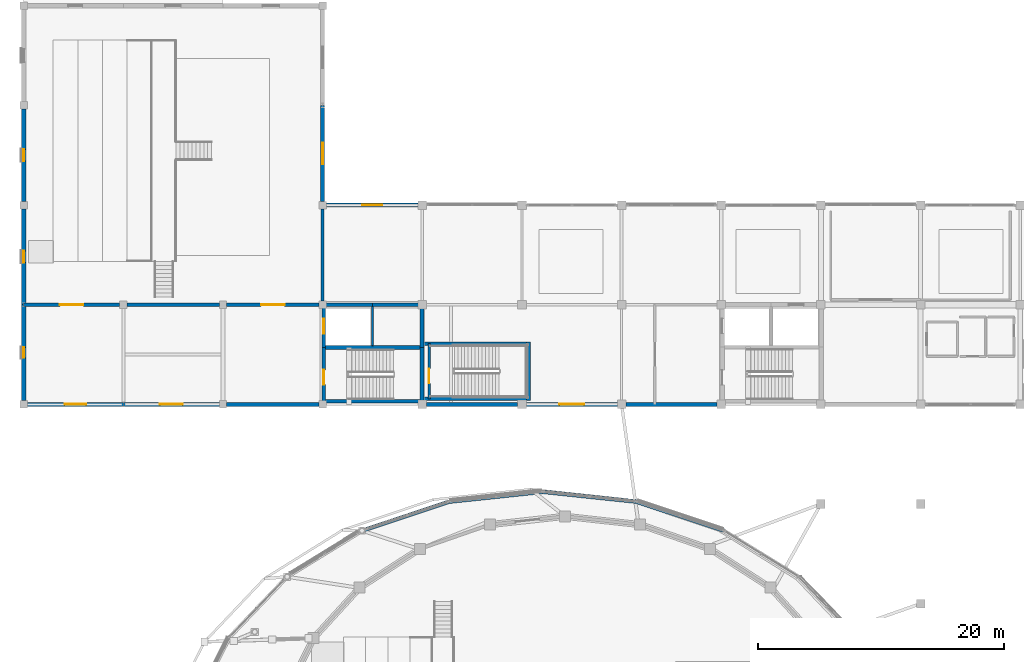
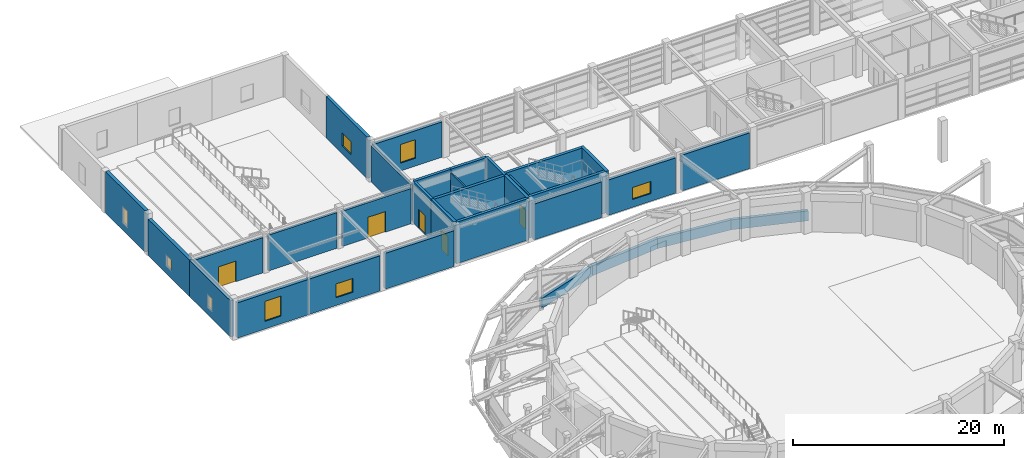
# One storey, part 40 of 56: 32 walls, 8 windows, 5 doors, 13 openings.
"""IFC4 building model written with IfcOpenShell, lengths in metres."""

from ifc_helpers import new_model, si_unit, direction, frame, frame_2d, origin, place, context, subcontext, project, spatial, rectangle, extrude, material, layer, layer_set, type_object, element, fill, save


model = new_model("IFC4")

# Units and contexts
model_context = context("Model", 3, precision=1e-05, world=origin(), true_north=direction((0.0, 1.0)))
body_context = subcontext(model_context, "Body", "Model", "MODEL_VIEW")
ifc_project = project(units=[si_unit("LENGTHUNIT", "METRE"), si_unit("AREAUNIT", "SQUARE_METRE"), si_unit("VOLUMEUNIT", "CUBIC_METRE"), si_unit("PLANEANGLEUNIT", "RADIAN"), si_unit("MASSUNIT", "GRAM", prefix="KILO")], contexts=[model_context])

# Site, building, storey
site_placement = place(None, origin())
site = spatial("IfcSite", under=ifc_project, at=site_placement, CompositionType="ELEMENT")
building_placement = place(site_placement, origin())
building = spatial("IfcBuilding", under=site, at=building_placement, Name="Parian Resonance Hall", CompositionType="ELEMENT")
storey_placement = place(building_placement, frame((0.0, 0.0, 5.39990234375)))
storey = spatial("IfcBuildingStorey", under=building, at=storey_placement, Name="L01", CompositionType="ELEMENT", Elevation=5.39990234375)

# Wall, opening, door
ifc_material_1 = material(Name="Concrete C40/50", Category="concrete")
ifc_layer_1 = layer(ifc_material_1, 0.31005859375)
ifc_layer_set_1 = layer_set([ifc_layer_1], Name="Concrete C40/50")
wall_type_1 = type_object("IfcWallType", Name="CW310", PredefinedType="SHEAR", material=ifc_layer_set_1)
wall_1_placement = place(storey_placement, frame((24.389892578125, 73.14990234375, 0.0), z_axis=(0.0, 0.0, 1.0), x_axis=(0.0, 1.0, 0.0)))
wall_1 = element("IfcWall", 1, at=wall_1_placement, inside=storey, type_object=wall_type_1, Name="Core K4 stairwell west shear wall L01", PredefinedType="SHEAR", context=body_context, shape_type="SweptSolid", body=[
    extrude(rectangle(XDim=4.360107421875, YDim=0.31005859375, at=frame_2d((2.18017578125, 0.0))), origin(), (0.0, 0.0, 1.0), 4.800048828125),
])
opening_1_placement = place(wall_1_placement, frame((1.35009765625, 0.0, 0.0)))
opening_1 = element("IfcOpeningElement", 2, at=opening_1_placement, cuts=wall_1, Name="Opening FD-01", PredefinedType="OPENING", context=body_context, shape_type="SweptSolid", body=[
    extrude(rectangle(XDim=1.199951171875, YDim=2.25, at=frame_2d((0.60009765625, 1.125))), frame((0.0, 0.1650390625, 0.0), z_axis=(0.0, -1.0, 0.0), x_axis=(1.0, 0.0, 0.0)), (0.0, 0.0, 1.0), 0.330078125),
])
ifc_material_2 = material(Name="Fire-rated acoustic steel and narra timber door", Category="steel")
door_type_1 = type_object("IfcDoorType", Name="FD-01", OperationType="NOTDEFINED", PredefinedType="DOOR", material=ifc_material_2)
door_1_placement = place(opening_1_placement, origin())
door_1 = element("IfcDoor", 3, at=door_1_placement, inside=storey, type_object=door_type_1, Name="Exit stair ST-04 fire door L01", OperationType="SINGLE_SWING_RIGHT", OverallHeight=2.25, OverallWidth=1.199951171875, PredefinedType="DOOR", context=body_context, shape_type="SweptSolid", body=[
    extrude(rectangle(XDim=1.199951171875, YDim=2.25, at=frame_2d((0.60009765625, 1.125))), frame((0.0, 0.02490234375, 0.0), z_axis=(0.0, -1.0, 0.0), x_axis=(1.0, 0.0, 0.0)), (0.0, 0.0, 1.0), 0.050048828125),
])
fill(opening_1, door_1)

wall_2_placement = place(storey_placement, frame((24.389892578125, 77.510009765625, 0.0), z_axis=(0.0, 0.0, 1.0), x_axis=(0.0, 1.0, 0.0)))
wall_2 = element("IfcWall", 4, at=wall_2_placement, inside=storey, type_object=wall_type_1, Name="Core K4 lift shaft west shear wall L01", PredefinedType="SHEAR", context=body_context, shape_type="SweptSolid", body=[
    extrude(rectangle(XDim=3.489990234375, YDim=0.31005859375, at=frame_2d((1.7451171875, 0.0))), origin(), (0.0, 0.0, 1.0), 4.800048828125),
])
opening_2_placement = place(wall_2_placement, frame((1.14501953125, 0.0, 0.0)))
opening_2 = element("IfcOpeningElement", 5, at=opening_2_placement, cuts=wall_2, Name="Opening LD-01", PredefinedType="OPENING", context=body_context, shape_type="SweptSolid", body=[
    extrude(rectangle(XDim=1.199951171875, YDim=2.199951171875, at=frame_2d((0.60009765625, 1.10009765625))), frame((0.0, 0.1650390625, 0.0), z_axis=(0.0, -1.0, 0.0), x_axis=(1.0, 0.0, 0.0)), (0.0, 0.0, 1.0), 0.330078125),
])
ifc_material_3 = material(Name="Stainless steel and bronze elevator cab", Category="steel")
door_type_2 = type_object("IfcDoorType", Name="DOOR-LIFT-1200x2200", OperationType="SLIDING_TO_LEFT", PredefinedType="DOOR", material=ifc_material_3)
door_2_placement = place(opening_2_placement, origin())
door_2 = element("IfcDoor", 6, at=door_2_placement, inside=storey, type_object=door_type_2, Name="Lift LF-05 sliding landing door L01", OperationType="SLIDING_TO_LEFT", OverallHeight=2.199951171875, OverallWidth=1.199951171875, PredefinedType="DOOR", context=body_context, shape_type="SweptSolid", body=[
    extrude(rectangle(XDim=1.199951171875, YDim=2.199951171875, at=frame_2d((0.60009765625, 1.10009765625))), frame((0.0, 0.02490234375, 0.0), z_axis=(0.0, -1.0, 0.0), x_axis=(1.0, 0.0, 0.0)), (0.0, 0.0, 1.0), 0.050048828125),
])
fill(opening_2, door_2)

# Walls
wall_3_placement = place(storey_placement, frame((24.389892578125, 81.0, 0.0), z_axis=(0.0, 0.0, 1.0), x_axis=(1.0, 0.0, 0.0)))
element("IfcWall", 7, at=wall_3_placement, inside=storey, type_object=wall_type_1, Name="Core K4 north-west shaft wall L01", PredefinedType="SHEAR", context=body_context, shape_type="SweptSolid", body=[
    extrude(rectangle(XDim=3.960205078125, YDim=0.31005859375, at=frame_2d((1.97998046875, 0.0))), origin(), (0.0, 0.0, 1.0), 4.800048828125),
])
wall_4_placement = place(storey_placement, frame((28.35009765625, 81.0, 0.0), z_axis=(0.0, 0.0, 1.0), x_axis=(1.0, 0.0, 0.0)))
element("IfcWall", 8, at=wall_4_placement, inside=storey, type_object=wall_type_1, Name="Core K4 north-east shaft wall L01", PredefinedType="SHEAR", context=body_context, shape_type="SweptSolid", body=[
    extrude(rectangle(XDim=4.02001953125, YDim=0.31005859375, at=frame_2d((2.010009765625, 0.0))), origin(), (0.0, 0.0, 1.0), 4.800048828125),
])
wall_5_placement = place(storey_placement, frame((32.3701171875, 81.0, 0.0), z_axis=(0.0, 0.0, 1.0), x_axis=(0.0, -1.0, 0.0)))
element("IfcWall", 9, at=wall_5_placement, inside=storey, type_object=wall_type_1, Name="Core K4 east shaft wall L01", PredefinedType="SHEAR", context=body_context, shape_type="SweptSolid", body=[
    extrude(rectangle(XDim=3.489990234375, YDim=0.31005859375, at=frame_2d((1.7451171875, 0.0))), origin(), (0.0, 0.0, 1.0), 4.800048828125),
])
wall_6_placement = place(storey_placement, frame((32.3701171875, 77.510009765625, 0.0), z_axis=(0.0, 0.0, 1.0), x_axis=(0.0, -1.0, 0.0)))
element("IfcWall", 10, at=wall_6_placement, inside=storey, type_object=wall_type_1, Name="Core K4 stairwell east wall L01", PredefinedType="SHEAR", context=body_context, shape_type="SweptSolid", body=[
    extrude(rectangle(XDim=4.360107421875, YDim=0.31005859375, at=frame_2d((2.18017578125, 0.0))), origin(), (0.0, 0.0, 1.0), 4.800048828125),
])
for number, where, z_axis, x_axis, name in (
    (11, (32.3701171875, 73.14990234375, 0.0), (0.0, 0.0, 1.0), (-1.0, 0.0, 0.0), "Core K4 stairwell south wall L01"),
    (12, (24.389892578125, 77.510009765625, 0.0), (0.0, 0.0, 1.0), (1.0, 0.0, 0.0), "Core K4 stair-lift divider wall L01"),
):
    element("IfcWall", number, at=place(storey_placement, frame(where, z_axis=z_axis, x_axis=x_axis)), inside=storey, type_object=wall_type_1, Name=name, PredefinedType="SHEAR", context=body_context, shape_type="SweptSolid", body=[
        extrude(rectangle(XDim=7.980224609375, YDim=0.31005859375, at=frame_2d((3.990234375, 0.0))), origin(), (0.0, 0.0, 1.0), 4.800048828125),
    ])
wall_7_placement = place(storey_placement, frame((32.39990234375, 73.35009765625, 0.0), z_axis=(0.0, 0.0, 1.0), x_axis=(1.0, 0.0, 0.0)))
element("IfcWall", 13, at=wall_7_placement, inside=storey, type_object=wall_type_1, Name="Enclosed foyer exit stair ST-07 shear wall L01-S", PredefinedType="SHEAR", context=body_context, shape_type="SweptSolid", body=[
    extrude(rectangle(XDim=8.795166015625, YDim=0.31005859375, at=frame_2d((4.3974609375, 0.0))), origin(), (0.0, 0.0, 1.0), 4.800048828125),
])
wall_8_placement = place(storey_placement, frame((41.0400390625, 73.195068359375, 0.0), z_axis=(0.0, 0.0, 1.0), x_axis=(0.0, 1.0, 0.0)))
element("IfcWall", 14, at=wall_8_placement, inside=storey, type_object=wall_type_1, Name="Enclosed foyer exit stair ST-07 shear wall L01-E", PredefinedType="SHEAR", context=body_context, shape_type="SweptSolid", body=[
    extrude(rectangle(XDim=4.7900390625, YDim=0.31005859375, at=frame_2d((2.39501953125, 0.0))), origin(), (0.0, 0.0, 1.0), 4.800048828125),
])
wall_9_placement = place(storey_placement, frame((41.195068359375, 77.830078125, 0.0), z_axis=(0.0, 0.0, 1.0), x_axis=(-1.0, 0.0, 0.0)))
element("IfcWall", 15, at=wall_9_placement, inside=storey, type_object=wall_type_1, Name="Enclosed foyer exit stair ST-07 shear wall L01-N", PredefinedType="SHEAR", context=body_context, shape_type="SweptSolid", body=[
    extrude(rectangle(XDim=8.795166015625, YDim=0.31005859375, at=frame_2d((4.3974609375, 0.0))), origin(), (0.0, 0.0, 1.0), 4.800048828125),
])
ifc_material_4 = material(Name="Concrete C35/45 with white lime plaster and polychrome mosaic", Category="concrete")
ifc_layer_2 = layer(ifc_material_4, 0.320068359375)
ifc_layer_set_2 = layer_set([ifc_layer_2], Name="Concrete C35/45 with white lime plaster and polychrome mosaic")
wall_type_2 = type_object("IfcWallType", Name="EW-RING-320", PredefinedType="SOLIDWALL", material=ifc_layer_set_2)
wall_10_placement = place(storey_placement, frame((49.809326171875, 64.995849609375, 0.0), z_axis=(0.0, 0.0, 1.0), x_axis=(0.948918280242, -0.315521944438, 0.0)))
element("IfcWall", 16, at=wall_10_placement, inside=storey, type_object=wall_type_2, Name="Elliptical R1 mosaic spandrel wall 05", PredefinedType="SOLIDWALL", context=body_context, shape_type="SweptSolid", body=[
    extrude(rectangle(XDim=7.47216796875, YDim=0.320068359375, at=frame_2d((3.736083984375, 0.0))), origin(), (0.0, 0.0, 1.0), 1.150146484375),
])
wall_11_placement = place(storey_placement, frame((42.199951171875, 65.800048828125, 0.0), z_axis=(0.0, 0.0, 1.0), x_axis=(0.994461658712, -0.105099996913, 0.0)))
element("IfcWall", 17, at=wall_11_placement, inside=storey, type_object=wall_type_2, Name="Elliptical R1 mosaic spandrel wall 06", PredefinedType="SOLIDWALL", context=body_context, shape_type="SweptSolid", body=[
    extrude(rectangle(XDim=7.65185546875, YDim=0.320068359375, at=frame_2d((3.825927734375, 0.0))), origin(), (0.0, 0.0, 1.0), 1.150146484375),
])
wall_12_placement = place(storey_placement, frame((34.5908203125, 64.995849609375, 0.0), z_axis=(0.0, 0.0, 1.0), x_axis=(0.994461306256, 0.105103331819, 0.0)))
element("IfcWall", 18, at=wall_12_placement, inside=storey, type_object=wall_type_2, Name="Elliptical R1 mosaic spandrel wall 07", PredefinedType="SOLIDWALL", context=body_context, shape_type="SweptSolid", body=[
    extrude(rectangle(XDim=7.651611328125, YDim=0.320068359375, at=frame_2d((3.82568359375, 0.0))), origin(), (0.0, 0.0, 1.0), 1.150146484375),
])
wall_13_placement = place(storey_placement, frame((27.728515625, 62.714111328125, 0.0), z_axis=(0.0, 0.0, 1.0), x_axis=(0.948919351472, 0.315518722743, 0.0)))
element("IfcWall", 19, at=wall_13_placement, inside=storey, type_object=wall_type_2, Name="Elliptical R1 mosaic spandrel wall 08", PredefinedType="SOLIDWALL", context=body_context, shape_type="SweptSolid", body=[
    extrude(rectangle(XDim=7.231689453125, YDim=0.320068359375, at=frame_2d((3.61572265625, 0.0))), origin(), (0.0, 0.0, 1.0), 1.150146484375),
])

# Wall, opening, window
ifc_material_5 = material(Name="Concrete C35/45 with Carcar coral-limestone ashlar", Category="masonry")
ifc_layer_3 = layer(ifc_material_5, 0.340087890625)
ifc_layer_set_3 = layer_set([ifc_layer_3], Name="Concrete C35/45 with Carcar coral-limestone ashlar")
wall_type_3 = type_object("IfcWallType", Name="EW-STONE-340", PredefinedType="SOLIDWALL", material=ifc_layer_set_3)
wall_14_placement = place(storey_placement, frame((32.050048828125, 89.10009765625, 0.0), z_axis=(0.0, 0.0, 1.0), x_axis=(-1.0, 0.0, 0.0)))
wall_14 = element("IfcWall", 20, at=wall_14_placement, inside=storey, type_object=wall_type_3, Name="Perimeter closure wall L01", PredefinedType="SOLIDWALL", context=body_context, shape_type="SweptSolid", body=[
    extrude(rectangle(XDim=7.449951171875, YDim=0.340087890625, at=frame_2d((3.72509765625, 0.0))), origin(), (0.0, 0.0, 1.0), 4.085205078125),
])
opening_3_placement = place(wall_14_placement, frame((2.89990234375, 0.0, 0.89990234375)))
opening_3 = element("IfcOpeningElement", 21, at=opening_3_placement, cuts=wall_14, Name="Opening WN-29", PredefinedType="OPENING", context=body_context, shape_type="SweptSolid", body=[
    extrude(rectangle(XDim=1.64990234375, YDim=2.14990234375, at=frame_2d((0.824951171875, 1.074951171875))), frame((0.0, 0.179931640625, 0.0), z_axis=(0.0, -1.0, 0.0), x_axis=(1.0, 0.0, 0.0)), (0.0, 0.0, 1.0), 0.360107421875),
])
ifc_material_6 = material(Name="Acoustic laminated double glazing", Category="glass")
window_type_1 = type_object("IfcWindowType", Name="WIN-1650x2150", PartitioningType="SINGLE_PANEL", PredefinedType="WINDOW", material=ifc_material_6)
window_1_placement = place(opening_3_placement, origin())
window_1 = element("IfcWindow", 22, at=window_1_placement, inside=storey, type_object=window_type_1, Name="Acoustic window L01-0065", OverallHeight=2.14990234375, OverallWidth=1.64990234375, PartitioningType="SINGLE_PANEL", PredefinedType="WINDOW", context=body_context, shape_type="SweptSolid", body=[
    extrude(rectangle(XDim=1.64990234375, YDim=2.14990234375, at=frame_2d((0.824951171875, 1.074951171875))), frame((0.0, 0.030029296875, 0.0), z_axis=(0.0, -1.0, 0.0), x_axis=(1.0, 0.0, 0.0)), (0.0, 0.0, 1.0), 0.06005859375),
])
fill(opening_3, window_1)

wall_15_placement = place(storey_placement, frame((24.300048828125, 89.39990234375, 0.0), z_axis=(0.0, 0.0, 1.0), x_axis=(0.0, 1.0, 0.0)))
wall_15 = element("IfcWall", 23, at=wall_15_placement, inside=storey, type_object=wall_type_3, Name="Perimeter closure wall L01", PredefinedType="SOLIDWALL", context=body_context, shape_type="SweptSolid", body=[
    extrude(rectangle(XDim=7.800048828125, YDim=0.340087890625, at=frame_2d((3.89990234375, 0.0))), origin(), (0.0, 0.0, 1.0), 4.800048828125),
])
opening_4_placement = place(wall_15_placement, frame((3.02490234375, 0.0, 0.89990234375)))
opening_4 = element("IfcOpeningElement", 24, at=opening_4_placement, cuts=wall_15, Name="Opening WN-30", PredefinedType="OPENING", context=body_context, shape_type="SweptSolid", body=[
    extrude(rectangle(XDim=1.75, YDim=1.5, at=frame_2d((0.875, 0.75))), frame((0.0, 0.179931640625, 0.0), z_axis=(0.0, -1.0, 0.0), x_axis=(1.0, 0.0, 0.0)), (0.0, 0.0, 1.0), 0.360107421875),
])
ifc_material_7 = material(Name="Acoustic laminated double glazing", Category="glass")
window_type_2 = type_object("IfcWindowType", Name="WIN-1750x1500", PartitioningType="SINGLE_PANEL", PredefinedType="WINDOW", material=ifc_material_7)
window_2_placement = place(opening_4_placement, origin())
window_2 = element("IfcWindow", 25, at=window_2_placement, inside=storey, type_object=window_type_2, Name="Acoustic window L01-0066", OverallHeight=1.5, OverallWidth=1.75, PartitioningType="SINGLE_PANEL", PredefinedType="WINDOW", context=body_context, shape_type="SweptSolid", body=[
    extrude(rectangle(XDim=1.75, YDim=1.5, at=frame_2d((0.875, 0.75))), frame((0.0, 0.030029296875, 0.0), z_axis=(0.0, -1.0, 0.0), x_axis=(1.0, 0.0, 0.0)), (0.0, 0.0, 1.0), 0.06005859375),
])
fill(opening_4, window_2)

wall_16_placement = place(storey_placement, frame((0.300048828125, 72.89990234375, 0.0), z_axis=(0.0, 0.0, 1.0), x_axis=(1.0, 0.0, 0.0)))
wall_16 = element("IfcWall", 26, at=wall_16_placement, inside=storey, type_object=wall_type_3, Name="Perimeter closure wall L01", PredefinedType="SOLIDWALL", context=body_context, shape_type="SweptSolid", body=[
    extrude(rectangle(XDim=7.800048828125, YDim=0.340087890625, at=frame_2d((3.89990234375, 0.0))), origin(), (0.0, 0.0, 1.0), 4.085205078125),
])
opening_5_placement = place(wall_16_placement, frame((3.02490234375, 0.0, 0.89990234375)))
opening_5 = element("IfcOpeningElement", 27, at=opening_5_placement, cuts=wall_16, Name="Opening WN-32", PredefinedType="OPENING", context=body_context, shape_type="SweptSolid", body=[
    extrude(rectangle(XDim=1.75, YDim=2.300048828125, at=frame_2d((0.875, 1.14990234375))), frame((0.0, 0.179931640625, 0.0), z_axis=(0.0, -1.0, 0.0), x_axis=(1.0, 0.0, 0.0)), (0.0, 0.0, 1.0), 0.360107421875),
])
ifc_material_8 = material(Name="Acoustic laminated double glazing", Category="glass")
window_type_3 = type_object("IfcWindowType", Name="WIN-1750x2300", PartitioningType="SINGLE_PANEL", PredefinedType="WINDOW", material=ifc_material_8)
window_3_placement = place(opening_5_placement, origin())
window_3 = element("IfcWindow", 28, at=window_3_placement, inside=storey, type_object=window_type_3, Name="Acoustic window L01-0068", OverallHeight=2.300048828125, OverallWidth=1.75, PartitioningType="SINGLE_PANEL", PredefinedType="WINDOW", context=body_context, shape_type="SweptSolid", body=[
    extrude(rectangle(XDim=1.75, YDim=2.300048828125, at=frame_2d((0.875, 1.14990234375))), frame((0.0, 0.030029296875, 0.0), z_axis=(0.0, -1.0, 0.0), x_axis=(1.0, 0.0, 0.0)), (0.0, 0.0, 1.0), 0.06005859375),
])
fill(opening_5, window_3)

wall_17_placement = place(storey_placement, frame((8.10009765625, 72.89990234375, 0.0), z_axis=(0.0, 0.0, 1.0), x_axis=(1.0, 0.0, 0.0)))
wall_17 = element("IfcWall", 29, at=wall_17_placement, inside=storey, type_object=wall_type_3, Name="Perimeter closure wall L01", PredefinedType="SOLIDWALL", context=body_context, shape_type="SweptSolid", body=[
    extrude(rectangle(XDim=7.7998046875, YDim=0.340087890625, at=frame_2d((3.89990234375, 0.0))), origin(), (0.0, 0.0, 1.0), 4.085205078125),
])
opening_6_placement = place(wall_17_placement, frame((2.97509765625, 0.0, 0.89990234375)))
opening_6 = element("IfcOpeningElement", 30, at=opening_6_placement, cuts=wall_17, Name="Opening WN-33", PredefinedType="OPENING", context=body_context, shape_type="SweptSolid", body=[
    extrude(rectangle(XDim=1.85009765625, YDim=1.60009765625, at=frame_2d((0.925048828125, 0.800048828125))), frame((0.0, 0.179931640625, 0.0), z_axis=(0.0, -1.0, 0.0), x_axis=(1.0, 0.0, 0.0)), (0.0, 0.0, 1.0), 0.360107421875),
])
ifc_material_9 = material(Name="Acoustic laminated double glazing", Category="glass")
window_type_4 = type_object("IfcWindowType", Name="WIN-1850x1600", PartitioningType="SINGLE_PANEL", PredefinedType="WINDOW", material=ifc_material_9)
window_4_placement = place(opening_6_placement, origin())
window_4 = element("IfcWindow", 31, at=window_4_placement, inside=storey, type_object=window_type_4, Name="Acoustic window L01-0069", OverallHeight=1.60009765625, OverallWidth=1.85009765625, PartitioningType="SINGLE_PANEL", PredefinedType="WINDOW", context=body_context, shape_type="SweptSolid", body=[
    extrude(rectangle(XDim=1.85009765625, YDim=1.60009765625, at=frame_2d((0.925048828125, 0.800048828125))), frame((0.0, 0.030029296875, 0.0), z_axis=(0.0, -1.0, 0.0), x_axis=(1.0, 0.0, 0.0)), (0.0, 0.0, 1.0), 0.06005859375),
])
fill(opening_6, window_4)

# Walls
wall_18_placement = place(storey_placement, frame((16.5, 72.89990234375, 0.0), z_axis=(0.0, 0.0, 1.0), x_axis=(1.0, 0.0, 0.0)))
element("IfcWall", 32, at=wall_18_placement, inside=storey, type_object=wall_type_3, Name="Perimeter closure wall L01", PredefinedType="SOLIDWALL", context=body_context, shape_type="SweptSolid", body=[
    extrude(rectangle(XDim=7.5, YDim=0.340087890625, at=frame_2d((3.75, 0.0))), origin(), (0.0, 0.0, 1.0), 4.13720703125),
])
wall_19_placement = place(storey_placement, frame((32.75, 72.89990234375, 0.0), z_axis=(0.0, 0.0, 1.0), x_axis=(1.0, 0.0, 0.0)))
element("IfcWall", 33, at=wall_19_placement, inside=storey, type_object=wall_type_3, Name="Perimeter closure wall L01", PredefinedType="SOLIDWALL", context=body_context, shape_type="SweptSolid", body=[
    extrude(rectangle(XDim=7.39990234375, YDim=0.340087890625, at=frame_2d((3.699951171875, 0.0))), origin(), (0.0, 0.0, 1.0), 4.13720703125),
])

# Wall, opening, window
wall_20_placement = place(storey_placement, frame((40.85009765625, 72.89990234375, 0.0), z_axis=(0.0, 0.0, 1.0), x_axis=(1.0, 0.0, 0.0)))
wall_20 = element("IfcWall", 34, at=wall_20_placement, inside=storey, type_object=wall_type_3, Name="Perimeter closure wall L01", PredefinedType="SOLIDWALL", context=body_context, shape_type="SweptSolid", body=[
    extrude(rectangle(XDim=7.39990234375, YDim=0.340087890625, at=frame_2d((3.699951171875, 0.0))), origin(), (0.0, 0.0, 1.0), 4.085205078125),
])
opening_7_placement = place(wall_20_placement, frame((2.699951171875, 0.0, 0.89990234375)))
opening_7 = element("IfcOpeningElement", 35, at=opening_7_placement, cuts=wall_20, Name="Opening WN-36", PredefinedType="OPENING", context=body_context, shape_type="SweptSolid", body=[
    extrude(rectangle(XDim=2.0, YDim=1.39990234375, at=frame_2d((1.0, 0.699951171875))), frame((0.0, 0.179931640625, 0.0), z_axis=(0.0, -1.0, 0.0), x_axis=(1.0, 0.0, 0.0)), (0.0, 0.0, 1.0), 0.360107421875),
])
ifc_material_10 = material(Name="Acoustic laminated double glazing", Category="glass")
window_type_5 = type_object("IfcWindowType", Name="WIN-2000x1400", PartitioningType="SINGLE_PANEL", PredefinedType="WINDOW", material=ifc_material_10)
window_5_placement = place(opening_7_placement, origin())
window_5 = element("IfcWindow", 36, at=window_5_placement, inside=storey, type_object=window_type_5, Name="Acoustic window L01-0070", OverallHeight=1.39990234375, OverallWidth=2.0, PartitioningType="SINGLE_PANEL", PredefinedType="WINDOW", context=body_context, shape_type="SweptSolid", body=[
    extrude(rectangle(XDim=2.0, YDim=1.39990234375, at=frame_2d((1.0, 0.699951171875))), frame((0.0, 0.030029296875, 0.0), z_axis=(0.0, -1.0, 0.0), x_axis=(1.0, 0.0, 0.0)), (0.0, 0.0, 1.0), 0.06005859375),
])
fill(opening_7, window_5)

# Wall
wall_21_placement = place(storey_placement, frame((48.949951171875, 72.89990234375, 0.0), z_axis=(0.0, 0.0, 1.0), x_axis=(1.0, 0.0, 0.0)))
element("IfcWall", 37, at=wall_21_placement, inside=storey, type_object=wall_type_3, Name="Perimeter closure wall L01", PredefinedType="SOLIDWALL", context=body_context, shape_type="SweptSolid", body=[
    extrude(rectangle(XDim=7.400146484375, YDim=0.340087890625, at=frame_2d((3.7001953125, 0.0))), origin(), (0.0, 0.0, 1.0), 4.13720703125),
])

# Wall, opening, window
ifc_material_11 = material(Name="Concrete C35/45 with Carcar coral-limestone ashlar", Category="masonry")
ifc_layer_4 = layer(ifc_material_11, 0.360107421875)
ifc_layer_set_4 = layer_set([ifc_layer_4], Name="Concrete C35/45 with Carcar coral-limestone ashlar")
wall_type_4 = type_object("IfcWallType", Name="EW-STONE-360", PredefinedType="SOLIDWALL", material=ifc_layer_set_4)
wall_22_placement = place(storey_placement, frame((0.0, 73.199951171875, 0.0), z_axis=(0.0, 0.0, 1.0), x_axis=(0.0, 1.0, 0.0)))
wall_22 = element("IfcWall", 38, at=wall_22_placement, inside=storey, type_object=wall_type_4, Name="Exterior wall EW-L01-0104", PredefinedType="SOLIDWALL", context=body_context, shape_type="SweptSolid", body=[
    extrude(rectangle(XDim=7.800048828125, YDim=0.360107421875, at=frame_2d((3.89990234375, 0.0))), origin(), (0.0, 0.0, 1.0), 4.197021484375),
])
opening_8_placement = place(wall_22_placement, frame((3.47509765625, 0.0, 0.89990234375)))
opening_8 = element("IfcOpeningElement", 39, at=opening_8_placement, cuts=wall_22, Name="Opening WN-02", PredefinedType="OPENING", context=body_context, shape_type="SweptSolid", body=[
    extrude(rectangle(XDim=0.85009765625, YDim=1.449951171875, at=frame_2d((0.425048828125, 0.72509765625))), frame((0.0, 0.18994140625, 0.0), z_axis=(0.0, -1.0, 0.0), x_axis=(1.0, 0.0, 0.0)), (0.0, 0.0, 1.0), 0.380126953125),
])
ifc_material_12 = material(Name="Acoustic laminated double glazing", Category="glass")
window_type_6 = type_object("IfcWindowType", Name="WIN-850x1450", PartitioningType="SINGLE_PANEL", PredefinedType="WINDOW", material=ifc_material_12)
window_6_placement = place(opening_8_placement, origin())
window_6 = element("IfcWindow", 40, at=window_6_placement, inside=storey, type_object=window_type_6, Name="Acoustic window L01-0001", OverallHeight=1.449951171875, OverallWidth=0.85009765625, PartitioningType="SINGLE_PANEL", PredefinedType="WINDOW", context=body_context, shape_type="SweptSolid", body=[
    extrude(rectangle(XDim=0.85009765625, YDim=1.449951171875, at=frame_2d((0.425048828125, 0.72509765625))), frame((0.0, 0.030029296875, 0.0), z_axis=(0.0, -1.0, 0.0), x_axis=(1.0, 0.0, 0.0)), (0.0, 0.0, 1.0), 0.06005859375),
])
fill(opening_8, window_6)

wall_23_placement = place(storey_placement, frame((0.0, 81.0, 0.0), z_axis=(0.0, 0.0, 1.0), x_axis=(0.0, 1.0, 0.0)))
wall_23 = element("IfcWall", 41, at=wall_23_placement, inside=storey, type_object=wall_type_4, Name="Exterior wall EW-L01-0107", PredefinedType="SOLIDWALL", context=body_context, shape_type="SweptSolid", body=[
    extrude(rectangle(XDim=7.800048828125, YDim=0.360107421875, at=frame_2d((3.89990234375, 0.0))), origin(), (0.0, 0.0, 1.0), 4.197021484375),
])
opening_9_placement = place(wall_23_placement, frame((3.425048828125, 0.0, 0.89990234375)))
opening_9 = element("IfcOpeningElement", 42, at=opening_9_placement, cuts=wall_23, Name="Opening WN-04", PredefinedType="OPENING", context=body_context, shape_type="SweptSolid", body=[
    extrude(rectangle(XDim=0.949951171875, YDim=1.25, at=frame_2d((0.47509765625, 0.625))), frame((0.0, 0.18994140625, 0.0), z_axis=(0.0, -1.0, 0.0), x_axis=(1.0, 0.0, 0.0)), (0.0, 0.0, 1.0), 0.380126953125),
])
ifc_material_13 = material(Name="Acoustic laminated double glazing", Category="glass")
window_type_7 = type_object("IfcWindowType", Name="WIN-950x1250", PartitioningType="SINGLE_PANEL", PredefinedType="WINDOW", material=ifc_material_13)
window_7_placement = place(opening_9_placement, origin())
window_7 = element("IfcWindow", 43, at=window_7_placement, inside=storey, type_object=window_type_7, Name="Acoustic window L01-0003", OverallHeight=1.25, OverallWidth=0.949951171875, PartitioningType="SINGLE_PANEL", PredefinedType="WINDOW", context=body_context, shape_type="SweptSolid", body=[
    extrude(rectangle(XDim=0.949951171875, YDim=1.25, at=frame_2d((0.47509765625, 0.625))), frame((0.0, 0.030029296875, 0.0), z_axis=(0.0, -1.0, 0.0), x_axis=(1.0, 0.0, 0.0)), (0.0, 0.0, 1.0), 0.06005859375),
])
fill(opening_9, window_7)

wall_24_placement = place(storey_placement, frame((0.0, 89.39990234375, 0.0), z_axis=(0.0, 0.0, 1.0), x_axis=(0.0, 1.0, 0.0)))
wall_24 = element("IfcWall", 44, at=wall_24_placement, inside=storey, type_object=wall_type_4, Name="Exterior wall EW-L01-0110", PredefinedType="SOLIDWALL", context=body_context, shape_type="SweptSolid", body=[
    extrude(rectangle(XDim=7.5, YDim=0.360107421875, at=frame_2d((3.75, 0.0))), origin(), (0.0, 0.0, 1.0), 4.800048828125),
])
opening_10_placement = place(wall_24_placement, frame((3.27490234375, 0.0, 0.89990234375)))
opening_10 = element("IfcOpeningElement", 45, at=opening_10_placement, cuts=wall_24, Name="Opening WN-06", PredefinedType="OPENING", context=body_context, shape_type="SweptSolid", body=[
    extrude(rectangle(XDim=0.949951171875, YDim=1.85009765625, at=frame_2d((0.47509765625, 0.925048828125))), frame((0.0, 0.18994140625, 0.0), z_axis=(0.0, -1.0, 0.0), x_axis=(1.0, 0.0, 0.0)), (0.0, 0.0, 1.0), 0.380126953125),
])
ifc_material_14 = material(Name="Acoustic laminated double glazing", Category="glass")
window_type_8 = type_object("IfcWindowType", Name="WIN-950x1850", PartitioningType="SINGLE_PANEL", PredefinedType="WINDOW", material=ifc_material_14)
window_8_placement = place(opening_10_placement, origin())
window_8 = element("IfcWindow", 46, at=window_8_placement, inside=storey, type_object=window_type_8, Name="Acoustic window L01-0005", OverallHeight=1.85009765625, OverallWidth=0.949951171875, PartitioningType="SINGLE_PANEL", PredefinedType="WINDOW", context=body_context, shape_type="SweptSolid", body=[
    extrude(rectangle(XDim=0.949951171875, YDim=1.85009765625, at=frame_2d((0.47509765625, 0.925048828125))), frame((0.0, 0.030029296875, 0.0), z_axis=(0.0, -1.0, 0.0), x_axis=(1.0, 0.0, 0.0)), (0.0, 0.0, 1.0), 0.06005859375),
])
fill(opening_10, window_8)

# Wall, opening, door
ifc_material_15 = material(Name="Concrete C35/45 fire barrier", Category="concrete")
ifc_layer_5 = layer(ifc_material_15, 0.199951171875)
ifc_layer_set_5 = layer_set([ifc_layer_5], Name="Concrete C35/45 fire barrier")
wall_type_5 = type_object("IfcWallType", Name="FW200", PredefinedType="PARTITIONING", material=ifc_layer_set_5)
wall_25_placement = place(storey_placement, frame((32.949951171875, 73.35009765625, 0.0), z_axis=(0.0, 0.0, 1.0), x_axis=(0.0, 1.0, 0.0)))
wall_25 = element("IfcWall", 47, at=wall_25_placement, inside=storey, type_object=wall_type_5, Name="Enclosed foyer exit stair ST-07 fire-door front wall L01", PredefinedType="PARTITIONING", context=body_context, shape_type="SweptSolid", body=[
    extrude(rectangle(XDim=4.47998046875, YDim=0.199951171875, at=frame_2d((2.239990234375, 0.0))), origin(), (0.0, 0.0, 1.0), 4.4501953125),
])
opening_11_placement = place(wall_25_placement, frame((1.25, 0.0, 0.0)))
opening_11 = element("IfcOpeningElement", 48, at=opening_11_placement, cuts=wall_25, Name="Opening FD-01", PredefinedType="OPENING", context=body_context, shape_type="SweptSolid", body=[
    extrude(rectangle(XDim=1.199951171875, YDim=2.25, at=frame_2d((0.60009765625, 1.125))), frame((0.0, 0.10986328125, 0.0), z_axis=(0.0, -1.0, 0.0), x_axis=(1.0, 0.0, 0.0)), (0.0, 0.0, 1.0), 0.219970703125),
])
door_3_placement = place(opening_11_placement, origin())
door_3 = element("IfcDoor", 49, at=door_3_placement, inside=storey, type_object=door_type_1, Name="Exit stair ST-07 fire door L01", OperationType="SINGLE_SWING_LEFT", OverallHeight=2.25, OverallWidth=1.199951171875, PredefinedType="DOOR", context=body_context, shape_type="SweptSolid", body=[
    extrude(rectangle(XDim=1.199951171875, YDim=2.25, at=frame_2d((0.60009765625, 1.125))), frame((0.0, 0.02490234375, 0.0), z_axis=(0.0, -1.0, 0.0), x_axis=(1.0, 0.0, 0.0)), (0.0, 0.0, 1.0), 0.050048828125),
])
fill(opening_11, door_3)

ifc_material_16 = material(Name="Concrete C35/45 fire barrier", Category="concrete")
ifc_layer_6 = layer(ifc_material_16, 0.25)
ifc_layer_set_6 = layer_set([ifc_layer_6], Name="Concrete C35/45 fire barrier")
wall_type_6 = type_object("IfcWallType", Name="HW250", PredefinedType="SOLIDWALL", material=ifc_layer_set_6)
wall_26_placement = place(storey_placement, frame((0.0, 81.0, 0.0), z_axis=(0.0, 0.0, 1.0), x_axis=(1.0, 0.0, 0.0)))
wall_26 = element("IfcWall", 50, at=wall_26_placement, inside=storey, type_object=wall_type_6, Name="Chamber Music Hall south acoustic wall L01-1", PredefinedType="SOLIDWALL", context=body_context, shape_type="SweptSolid", body=[
    extrude(rectangle(XDim=7.800048828125, YDim=0.25, at=frame_2d((3.89990234375, 0.0))), origin(), (0.0, 0.0, 1.0), 4.085205078125),
])
opening_12_placement = place(wall_26_placement, frame((2.949951171875, 0.0, 0.0)))
opening_12 = element("IfcOpeningElement", 51, at=opening_12_placement, cuts=wall_26, Name="Opening ID-03", PredefinedType="OPENING", context=body_context, shape_type="SweptSolid", body=[
    extrude(rectangle(XDim=1.89990234375, YDim=2.39990234375, at=frame_2d((0.949951171875, 1.199951171875))), frame((0.0, 0.135009765625, 0.0), z_axis=(0.0, -1.0, 0.0), x_axis=(1.0, 0.0, 0.0)), (0.0, 0.0, 1.0), 0.27001953125),
])
ifc_material_17 = material(Name="Fire-rated acoustic steel and narra timber door", Category="steel")
door_type_3 = type_object("IfcDoorType", Name="ID-HALL-1900x2400", OperationType="NOTDEFINED", PredefinedType="DOOR", material=ifc_material_17)
door_4_placement = place(opening_12_placement, origin())
door_4 = element("IfcDoor", 52, at=door_4_placement, inside=storey, type_object=door_type_3, Name="Chamber Music Hall acoustic entrance door 1", OperationType="DOUBLE_DOOR_SINGLE_SWING", OverallHeight=2.39990234375, OverallWidth=1.89990234375, PredefinedType="DOOR", context=body_context, shape_type="SweptSolid", body=[
    extrude(rectangle(XDim=1.89990234375, YDim=2.39990234375, at=frame_2d((0.949951171875, 1.199951171875))), frame((0.0, 0.02490234375, 0.0), z_axis=(0.0, -1.0, 0.0), x_axis=(1.0, 0.0, 0.0)), (0.0, 0.0, 1.0), 0.050048828125),
])
fill(opening_12, door_4)

# Wall
wall_27_placement = place(storey_placement, frame((8.39990234375, 81.0, 0.0), z_axis=(0.0, 0.0, 1.0), x_axis=(1.0, 0.0, 0.0)))
element("IfcWall", 53, at=wall_27_placement, inside=storey, type_object=wall_type_6, Name="Chamber Music Hall south acoustic wall L01-2", PredefinedType="SOLIDWALL", context=body_context, shape_type="SweptSolid", body=[
    extrude(rectangle(XDim=7.5, YDim=0.25, at=frame_2d((3.75, 0.0))), origin(), (0.0, 0.0, 1.0), 4.13720703125),
])

# Wall, opening, door
wall_28_placement = place(storey_placement, frame((16.5, 81.0, 0.0), z_axis=(0.0, 0.0, 1.0), x_axis=(1.0, 0.0, 0.0)))
wall_28 = element("IfcWall", 54, at=wall_28_placement, inside=storey, type_object=wall_type_6, Name="Chamber Music Hall south acoustic wall L01-3", PredefinedType="SOLIDWALL", context=body_context, shape_type="SweptSolid", body=[
    extrude(rectangle(XDim=7.5, YDim=0.25, at=frame_2d((3.75, 0.0))), origin(), (0.0, 0.0, 1.0), 4.085205078125),
])
opening_13_placement = place(wall_28_placement, frame((2.800048828125, 0.0, 0.0)))
opening_13 = element("IfcOpeningElement", 55, at=opening_13_placement, cuts=wall_28, Name="Opening ID-03", PredefinedType="OPENING", context=body_context, shape_type="SweptSolid", body=[
    extrude(rectangle(XDim=1.89990234375, YDim=2.39990234375, at=frame_2d((0.949951171875, 1.199951171875))), frame((0.0, 0.135009765625, 0.0), z_axis=(0.0, -1.0, 0.0), x_axis=(1.0, 0.0, 0.0)), (0.0, 0.0, 1.0), 0.27001953125),
])
door_5_placement = place(opening_13_placement, origin())
door_5 = element("IfcDoor", 56, at=door_5_placement, inside=storey, type_object=door_type_3, Name="Chamber Music Hall acoustic entrance door 3", OperationType="DOUBLE_DOOR_SINGLE_SWING", OverallHeight=2.39990234375, OverallWidth=1.89990234375, PredefinedType="DOOR", context=body_context, shape_type="SweptSolid", body=[
    extrude(rectangle(XDim=1.89990234375, YDim=2.39990234375, at=frame_2d((0.949951171875, 1.199951171875))), frame((0.0, 0.02490234375, 0.0), z_axis=(0.0, -1.0, 0.0), x_axis=(1.0, 0.0, 0.0)), (0.0, 0.0, 1.0), 0.050048828125),
])
fill(opening_13, door_5)

# Walls
wall_29_placement = place(storey_placement, frame((24.300048828125, 81.300048828125, 0.0), z_axis=(0.0, 0.0, 1.0), x_axis=(0.0, 1.0, 0.0)))
element("IfcWall", 57, at=wall_29_placement, inside=storey, type_object=wall_type_6, Name="Chamber Music Hall east acoustic wall L01-10", PredefinedType="SOLIDWALL", context=body_context, shape_type="SweptSolid", body=[
    extrude(rectangle(XDim=7.5, YDim=0.25, at=frame_2d((3.75, 0.0))), origin(), (0.0, 0.0, 1.0), 4.197021484375),
])
ifc_material_18 = material(Name="Concrete C35/45 acoustic plumbing chase wall", Category="concrete")
ifc_layer_7 = layer(ifc_material_18, 0.14990234375)
ifc_layer_set_7 = layer_set([ifc_layer_7], Name="Concrete C35/45 acoustic plumbing chase wall")
wall_type_7 = type_object("IfcWallType", Name="PW150", PredefinedType="PLUMBINGWALL", material=ifc_layer_set_7)
wall_30_placement = place(storey_placement, frame((28.35009765625, 77.669921875, 0.0), z_axis=(0.0, 0.0, 1.0), x_axis=(0.0, 1.0, 0.0)))
element("IfcWall", 58, at=wall_30_placement, inside=storey, type_object=wall_type_7, Name="Core K4 shaft plumbing/riser divider L01", PredefinedType="PLUMBINGWALL", context=body_context, shape_type="SweptSolid", body=[
    extrude(rectangle(XDim=3.170166015625, YDim=0.14990234375, at=frame_2d((1.5849609375, 0.0))), origin(), (0.0, 0.0, 1.0), 4.4501953125),
])

save(model, "model.ifc")
